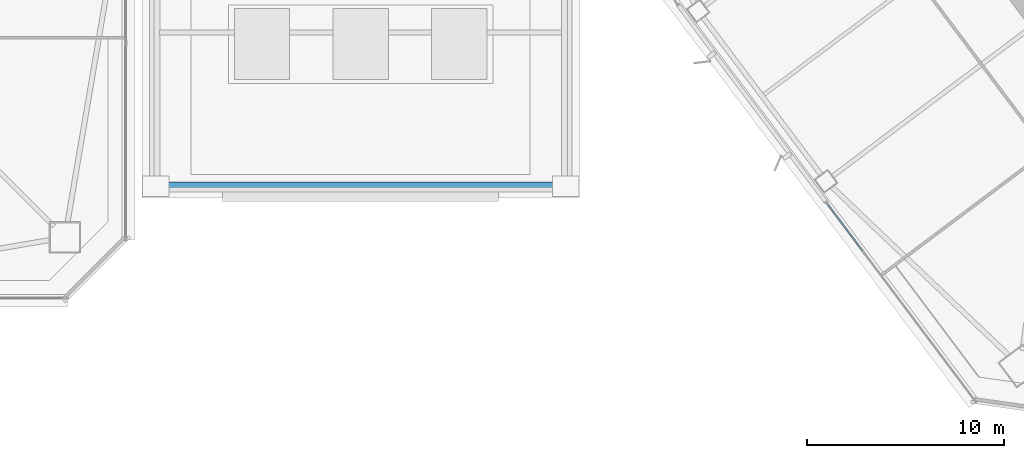
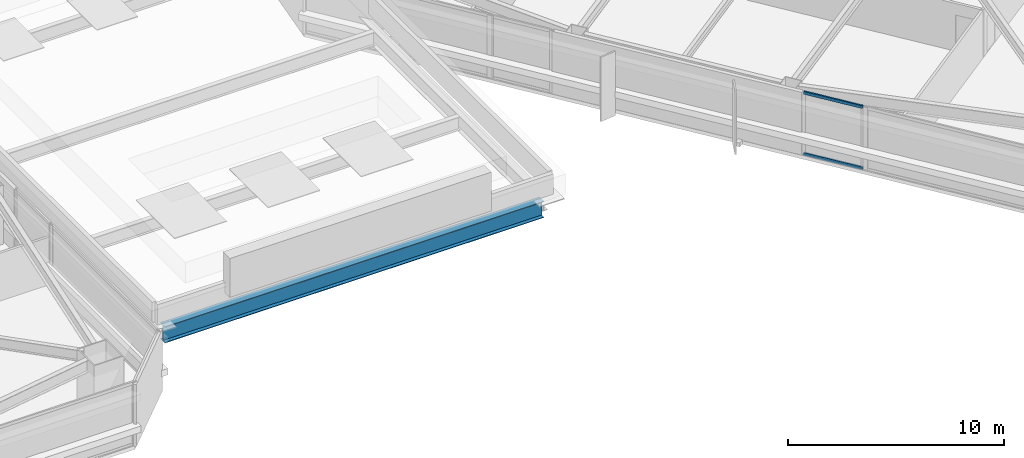
# One storey, part 20 of 62: 2 members, 1 beam, 1 element without a shape of its own.
"""IFC4 building model written with IfcOpenShell, lengths in metres."""

from ifc_helpers import new_model, si_unit, direction, frame, origin, origin_2d, place, context, subcontext, project, spatial, hollow_rectangle, i_section, extrude, material, material_profile, profile_set, type_object, element, aggregate, save


model = new_model("IFC4")

# Units and contexts
model_context = context("Model", 3, precision=1e-05, world=origin(), true_north=direction((0.0, 1.0)))
body_context = subcontext(model_context, "Body", "Model", "MODEL_VIEW")
ifc_project = project(units=[si_unit("LENGTHUNIT", "METRE"), si_unit("AREAUNIT", "SQUARE_METRE"), si_unit("VOLUMEUNIT", "CUBIC_METRE"), si_unit("PLANEANGLEUNIT", "RADIAN"), si_unit("MASSUNIT", "GRAM", prefix="KILO")], contexts=[model_context])

# Site, building, storey
site_placement = place(None, origin())
site = spatial("IfcSite", under=ifc_project, at=site_placement, CompositionType="ELEMENT")
building_placement = place(site_placement, origin())
building = spatial("IfcBuilding", under=site, at=building_placement, Name="Tashvorn Skyway Center", CompositionType="ELEMENT")
storey_placement = place(building_placement, frame((0.0, 0.0, 28.14990234375)))
storey = spatial("IfcBuildingStorey", under=building, at=storey_placement, Name="L06", CompositionType="ELEMENT", Elevation=28.14990234375)

# Beam
ifc_material_1 = material(Name="Steel ASTM A913 Grade 65", Category="steel")
ifc_material_profile_1 = material_profile(ifc_material_1, i_section(OverallWidth=0.4189453125, OverallDepth=0.927001953125, WebThickness=0.019287109375, FlangeThickness=0.031982421875, at=origin_2d()), Name="W36X231")
ifc_profile_set_1 = profile_set([ifc_material_profile_1], Name="Steel ASTM A913 Grade 65")
beam_type = type_object("IfcBeamType", Name="BM-BEAM-W36X231", PredefinedType="BEAM", material=ifc_profile_set_1)
beam_placement = place(storey_placement, frame((66.64990234375, 14.800048828125, 1.1865234375), z_axis=(1.0, 0.0, 0.0), x_axis=(0.0, 1.0, 0.0)))
element("IfcBeam", 1, at=beam_placement, inside=storey, type_object=beam_type, Name="Concourse Monitor Transverse Girder 1", PredefinedType="BEAM", context=body_context, shape_type="SweptSolid", body=[
    extrude(i_section(OverallWidth=0.4189453125, OverallDepth=0.927001953125, WebThickness=0.019287109375, FlangeThickness=0.031982421875, at=origin_2d()), origin(), (0.0, 0.0, 1.0), 20.300048828125),
])

# Curtain wall, members
ifc_material_2 = material(Name="Thermally broken bronze-anodized aluminium 6063-T6", Category="aluminium")
curtain_wall_type = type_object("IfcCurtainWallType", Name="CW-CW-Z1", PredefinedType="NOTDEFINED", material=ifc_material_2)
curtain_wall_placement = place(storey_placement, origin())
curtain_wall = element("IfcCurtainWall", 2, at=curtain_wall_placement, inside=storey, type_object=curtain_wall_type, Name="Tower 2 L06 West Unitised Curtain Wall Glazing Group 2", PredefinedType="NOTDEFINED")
ifc_material_profile_2 = material_profile(ifc_material_2, hollow_rectangle(XDim=0.0849609375, YDim=0.1650390625, WallThickness=0.0048828125, at=origin_2d()), Name="ALU-TRAN-85x165")
ifc_profile_set_2 = profile_set([ifc_material_profile_2], Name="Thermally broken bronze-anodized aluminium 6063-T6")
member_type = type_object("IfcMemberType", Name="CWT-CW-Z1", PredefinedType="USERDEFINED", material=ifc_profile_set_2)
member_1_placement = place(storey_placement, frame((102.26904296875, 11.508056640625, 0.04248046875), z_axis=(-0.600026244674, 0.799980315822, 0.0), x_axis=(-0.799980315822, -0.600026244674, 0.0)))
member_1 = element("IfcMember", 3, at=member_1_placement, type_object=member_type, Name="CW-Z1 transom 1.1", ObjectType="TRANSOM", PredefinedType="USERDEFINED", context=body_context, shape_type="SweptSolid", body=[
    extrude(hollow_rectangle(XDim=0.0849609375, YDim=0.1650390625, WallThickness=0.0048828125, at=origin_2d()), origin(), (0.0, 0.0, 1.0), 2.976806640625),
])
member_2_placement = place(storey_placement, frame((102.26904296875, 11.508056640625, 3.507568359375), z_axis=(-0.600026244674, 0.799980315822, 0.0), x_axis=(-0.799980315822, -0.600026244674, 0.0)))
member_2 = element("IfcMember", 4, at=member_2_placement, type_object=member_type, Name="CW-Z1 transom 1.2", ObjectType="TRANSOM", PredefinedType="USERDEFINED", context=body_context, shape_type="SweptSolid", body=[
    extrude(hollow_rectangle(XDim=0.0849609375, YDim=0.1650390625, WallThickness=0.0048828125, at=origin_2d()), origin(), (0.0, 0.0, 1.0), 2.976806640625),
])
aggregate(curtain_wall, [member_1, member_2])

save(model, "model.ifc")
